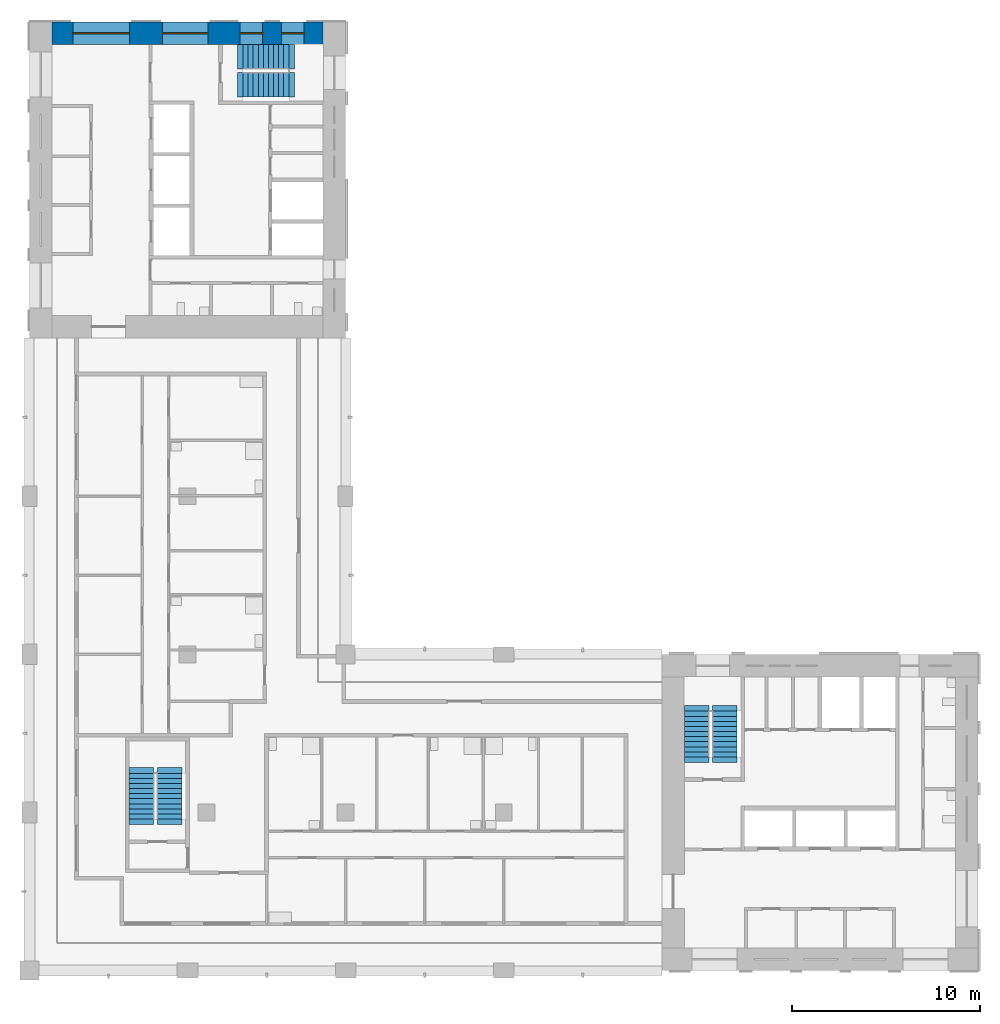
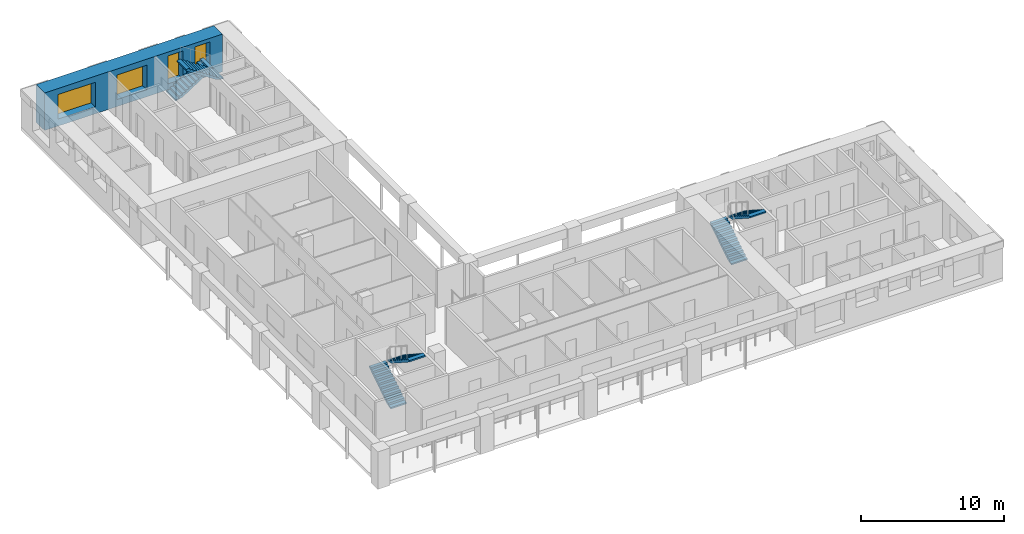
# One storey, part 7 of 10: 6 stair flights, 4 windows, 1 wall, 4 openings, 3 elements without a shape of their own.
"""IFC4 building model written with IfcOpenShell, lengths in metres."""

from ifc_helpers import new_model, si_unit, direction, frame, frame_2d, origin, place, context, subcontext, project, spatial, polyline, rectangle, outline, extrude, material, layer, layer_set, type_object, element, fill, aggregate, save


model = new_model("IFC4")

# Units and contexts
model_context = context("Model", 3, precision=1e-05, world=origin(), true_north=direction((0.0, 1.0)))
body_context = subcontext(model_context, "Body", "Model", "MODEL_VIEW")
ifc_project = project(units=[si_unit("LENGTHUNIT", "METRE"), si_unit("AREAUNIT", "SQUARE_METRE"), si_unit("VOLUMEUNIT", "CUBIC_METRE"), si_unit("PLANEANGLEUNIT", "RADIAN"), si_unit("MASSUNIT", "GRAM", prefix="KILO")], contexts=[model_context])

# Site, building, storey
site_placement = place(None, origin())
site = spatial("IfcSite", under=ifc_project, at=site_placement, CompositionType="ELEMENT")
building_placement = place(site_placement, origin())
building = spatial("IfcBuilding", under=site, at=building_placement, Name="Vermilion Gate Residences", CompositionType="ELEMENT")
storey_placement = place(building_placement, frame((0.0, 0.0, 266.699951171875)))
storey = spatial("IfcBuildingStorey", under=building, at=storey_placement, Name="L70", CompositionType="ELEMENT", Elevation=266.699951171875)

# Wall, openings, windows
ifc_material_1 = material(Name="Concrete C50 red-oxide pigmented", Category="concrete")
ifc_layer = layer(ifc_material_1, 1.199951171875)
ifc_layer_set = layer_set([ifc_layer], Name="RC CORE WALL 1200 C50 RED OXIDE")
wall_type = type_object("IfcWallType", Name="RC CORE WALL 1200 C50 RED OXIDE", PredefinedType="SHEAR", material=ifc_layer_set)
wall_placement = place(storey_placement, frame((9.60009765625, 58.199951171875, 0.0), z_axis=(0.0, 0.0, 1.0), x_axis=(1.0, 0.0, 0.0)))
wall = element("IfcWall", 1, at=wall_placement, inside=storey, type_object=wall_type, Name="Core wall B70-OUT-FR", PredefinedType="SHEAR", context=body_context, shape_type="SweptSolid", body=[
    extrude(rectangle(XDim=14.39990234375, YDim=1.199951171875, at=frame_2d((7.199951171875, 0.0))), origin(), (0.0, 0.0, 1.0), 3.219970703125),
])
opening_1_placement = place(wall_placement, frame((1.10498046875, 0.0, 0.60009765625)))
opening_1 = element("IfcOpeningElement", 2, at=opening_1_placement, cuts=wall, Name="Opening WKB7012", PredefinedType="OPENING", context=body_context, shape_type="SweptSolid", body=[
    extrude(rectangle(XDim=3.0, YDim=2.10009765625, at=frame_2d((1.5, 1.050048828125))), frame((0.0, 0.60986328125, 0.0), z_axis=(0.0, -1.0, 0.0), x_axis=(1.0, 0.0, 0.0)), (0.0, 0.0, 1.0), 1.219970703125),
])
opening_2_placement = place(wall_placement, frame((5.875, 0.0, 0.60009765625)))
opening_2 = element("IfcOpeningElement", 3, at=opening_2_placement, cuts=wall, Name="Opening WKB7013", PredefinedType="OPENING", context=body_context, shape_type="SweptSolid", body=[
    extrude(rectangle(XDim=2.39990234375, YDim=2.10009765625, at=frame_2d((1.199951171875, 1.050048828125))), frame((0.0, 0.60986328125, 0.0), z_axis=(0.0, -1.0, 0.0), x_axis=(1.0, 0.0, 0.0)), (0.0, 0.0, 1.0), 1.219970703125),
])
opening_3_placement = place(wall_placement, frame((9.993408203125, 0.0, 0.5)))
opening_3 = element("IfcOpeningElement", 4, at=opening_3_placement, cuts=wall, Name="Opening WKB7014", PredefinedType="OPENING", context=body_context, shape_type="SweptSolid", body=[
    extrude(rectangle(XDim=1.199951171875, YDim=2.39990234375, at=frame_2d((0.60009765625, 1.199951171875))), frame((0.0, 0.60986328125, 0.0), z_axis=(0.0, -1.0, 0.0), x_axis=(1.0, 0.0, 0.0)), (0.0, 0.0, 1.0), 1.219970703125),
])
opening_4_placement = place(wall_placement, frame((12.19677734375, 0.0, 0.5)))
opening_4 = element("IfcOpeningElement", 5, at=opening_4_placement, cuts=wall, Name="Opening WKB7015", PredefinedType="OPENING", context=body_context, shape_type="SweptSolid", body=[
    extrude(rectangle(XDim=1.199951171875, YDim=2.39990234375, at=frame_2d((0.60009765625, 1.199951171875))), frame((0.0, 0.60986328125, 0.0), z_axis=(0.0, -1.0, 0.0), x_axis=(1.0, 0.0, 0.0)), (0.0, 0.0, 1.0), 1.219970703125),
])
ifc_material_2 = material(Name="Aluminium and clear glass", Category="aluminium")
window_type_1 = type_object("IfcWindowType", Name="CORE LOBBY WINDOW 2400 X 2100", PartitioningType="SINGLE_PANEL", PredefinedType="WINDOW", material=ifc_material_2)
window_1_placement = place(opening_2_placement, origin())
window_1 = element("IfcWindow", 6, at=window_1_placement, inside=storey, type_object=window_type_1, Name="Core lobby window", OverallHeight=2.10009765625, OverallWidth=2.39990234375, PartitioningType="SINGLE_PANEL", PredefinedType="WINDOW", context=body_context, shape_type="SweptSolid", body=[
    extrude(rectangle(XDim=2.39990234375, YDim=2.10009765625, at=frame_2d((1.199951171875, 1.050048828125))), frame((0.0, 0.030029296875, 0.0), z_axis=(0.0, -1.0, 0.0), x_axis=(1.0, 0.0, 0.0)), (0.0, 0.0, 1.0), 0.06005859375),
])
fill(opening_2, window_1)
ifc_material_3 = material(Name="Aluminium and clear glass", Category="aluminium")
window_type_2 = type_object("IfcWindowType", Name="CORE LOBBY WINDOW 3000 X 2100", PartitioningType="SINGLE_PANEL", PredefinedType="WINDOW", material=ifc_material_3)
window_2_placement = place(opening_1_placement, origin())
window_2 = element("IfcWindow", 7, at=window_2_placement, inside=storey, type_object=window_type_2, Name="Core lobby window", OverallHeight=2.10009765625, OverallWidth=3.0, PartitioningType="SINGLE_PANEL", PredefinedType="WINDOW", context=body_context, shape_type="SweptSolid", body=[
    extrude(rectangle(XDim=3.0, YDim=2.10009765625, at=frame_2d((1.5, 1.050048828125))), frame((0.0, 0.030029296875, 0.0), z_axis=(0.0, -1.0, 0.0), x_axis=(1.0, 0.0, 0.0)), (0.0, 0.0, 1.0), 0.06005859375),
])
fill(opening_1, window_2)
ifc_material_4 = material(Name="Aluminium and clear glass", Category="aluminium")
window_type_3 = type_object("IfcWindowType", Name="CORE STAIR WINDOW 1200 X 2400", PartitioningType="SINGLE_PANEL", PredefinedType="WINDOW", material=ifc_material_4)
window_3_placement = place(opening_3_placement, origin())
window_3 = element("IfcWindow", 8, at=window_3_placement, inside=storey, type_object=window_type_3, Name="Core stair window", OverallHeight=2.39990234375, OverallWidth=1.199951171875, PartitioningType="SINGLE_PANEL", PredefinedType="WINDOW", context=body_context, shape_type="SweptSolid", body=[
    extrude(rectangle(XDim=1.199951171875, YDim=2.39990234375, at=frame_2d((0.60009765625, 1.199951171875))), frame((0.0, 0.030029296875, 0.0), z_axis=(0.0, -1.0, 0.0), x_axis=(1.0, 0.0, 0.0)), (0.0, 0.0, 1.0), 0.06005859375),
])
fill(opening_3, window_3)
window_4_placement = place(opening_4_placement, origin())
window_4 = element("IfcWindow", 9, at=window_4_placement, inside=storey, type_object=window_type_3, Name="Core stair window", OverallHeight=2.39990234375, OverallWidth=1.199951171875, PartitioningType="SINGLE_PANEL", PredefinedType="WINDOW", context=body_context, shape_type="SweptSolid", body=[
    extrude(rectangle(XDim=1.199951171875, YDim=2.39990234375, at=frame_2d((0.60009765625, 1.199951171875))), frame((0.0, 0.030029296875, 0.0), z_axis=(0.0, -1.0, 0.0), x_axis=(1.0, 0.0, 0.0)), (0.0, 0.0, 1.0), 0.06005859375),
])
fill(opening_4, window_4)

# Stair, stair flights
ifc_material_5 = material(Name="Concrete C50", Category="concrete")
stair_type = type_object("IfcStairType", Name="SPECIAL ESCAPE STAIR 1300", PredefinedType="HALF_TURN_STAIR", material=ifc_material_5)
stair_1_placement = place(storey_placement, origin())
stair_1 = element("IfcStair", 10, at=stair_1_placement, inside=storey, type_object=stair_type, Name="Special escape stair STA1-70", PredefinedType="HALF_TURN_STAIR")
ifc_material_6 = material(Name="Concrete C50", Category="concrete")
stair_flight_type = type_object("IfcStairFlightType", Name="STAIR FLIGHT 1300 RC C50", PredefinedType="STRAIGHT", material=ifc_material_6)
stair_flight_1_placement = place(storey_placement, frame((43.85009765625, 19.75, 0.0), z_axis=(0.0, 0.0, 1.0), x_axis=(0.0, 1.0, 0.0)))
stair_flight_1 = element("IfcStairFlight", 11, at=stair_flight_1_placement, type_object=stair_flight_type, Name="STA1-70 flight 1", NumberOfRisers=10, NumberOfTreads=9, PredefinedType="STRAIGHT", RiserHeight=0.175, TreadLength=0.27, context=body_context, shape_type="SweptSolid", body=[
    extrude(outline(polyline([(-0.300048828125, -0.14990234375), (-0.300048828125, -0.030029296875), (0.0, 0.0), (0.0, 0.175048828125), (0.27001953125, 0.175048828125), (0.27001953125, 0.35009765625), (0.5400390625, 0.35009765625), (0.5400390625, 0.52490234375), (0.81005859375, 0.52490234375), (0.81005859375, 0.699951171875), (1.080078125, 0.699951171875), (1.080078125, 0.875), (1.35009765625, 0.875), (1.35009765625, 1.050048828125), (1.6201171875, 1.050048828125), (1.6201171875, 1.22509765625), (1.889892578125, 1.22509765625), (1.889892578125, 1.39990234375), (2.159912109375, 1.39990234375), (2.159912109375, 1.574951171875), (2.429931640625, 1.574951171875), (2.429931640625, 1.75), (2.72998046875, 1.719970703125), (2.72998046875, 1.60009765625), (2.429931640625, 1.396484375), (0.275634765625, 0.0), (-0.300048828125, -0.14990234375)])), frame((0.0, 0.64990234375, 0.0), z_axis=(0.0, -1.0, 0.0), x_axis=(1.0, 0.0, 0.0)), (0.0, 0.0, 1.0), 1.300048828125),
])
stair_flight_2_placement = place(storey_placement, frame((45.35009765625, 22.179931640625, 1.75), z_axis=(0.0, 0.0, 1.0), x_axis=(0.0, -1.0, 0.0)))
stair_flight_2 = element("IfcStairFlight", 12, at=stair_flight_2_placement, type_object=stair_flight_type, Name="STA1-70 flight 2", NumberOfRisers=10, NumberOfTreads=9, PredefinedType="STRAIGHT", RiserHeight=0.175, TreadLength=0.27, context=body_context, shape_type="SweptSolid", body=[
    extrude(outline(polyline([(-0.300048828125, -0.14990234375), (-0.300048828125, -0.030029296875), (0.0, 0.0), (0.0, 0.175048828125), (0.27001953125, 0.175048828125), (0.27001953125, 0.35009765625), (0.5400390625, 0.35009765625), (0.5400390625, 0.52490234375), (0.81005859375, 0.52490234375), (0.81005859375, 0.699951171875), (1.080078125, 0.699951171875), (1.080078125, 0.875), (1.35009765625, 0.875), (1.35009765625, 1.050048828125), (1.6201171875, 1.050048828125), (1.6201171875, 1.22509765625), (1.889892578125, 1.22509765625), (1.889892578125, 1.39990234375), (2.159912109375, 1.39990234375), (2.159912109375, 1.574951171875), (2.429931640625, 1.574951171875), (2.429931640625, 1.75), (2.72998046875, 1.719970703125), (2.72998046875, 1.60009765625), (2.429931640625, 1.396484375), (0.275634765625, 0.0), (-0.300048828125, -0.14990234375)])), frame((0.0, 0.64990234375, 0.0), z_axis=(0.0, -1.0, 0.0), x_axis=(1.0, 0.0, 0.0)), (0.0, 0.0, 1.0), 1.300048828125),
])
aggregate(stair_1, [stair_flight_1, stair_flight_2])

stair_2_placement = place(storey_placement, origin())
stair_2 = element("IfcStair", 13, at=stair_2_placement, inside=storey, type_object=stair_type, Name="Special escape stair STB1-70", PredefinedType="HALF_TURN_STAIR")
stair_flight_3_placement = place(storey_placement, frame((19.75, 56.949951171875, 0.0), z_axis=(0.0, 0.0, 1.0), x_axis=(1.0, 0.0, 0.0)))
stair_flight_3 = element("IfcStairFlight", 14, at=stair_flight_3_placement, type_object=stair_flight_type, Name="STB1-70 flight 1", NumberOfRisers=10, NumberOfTreads=9, PredefinedType="STRAIGHT", RiserHeight=0.175, TreadLength=0.27, context=body_context, shape_type="SweptSolid", body=[
    extrude(outline(polyline([(-0.300048828125, -0.14990234375), (-0.300048828125, -0.030029296875), (0.0, 0.0), (0.0, 0.175048828125), (0.27001953125, 0.175048828125), (0.27001953125, 0.35009765625), (0.5400390625, 0.35009765625), (0.5400390625, 0.52490234375), (0.81005859375, 0.52490234375), (0.81005859375, 0.699951171875), (1.080078125, 0.699951171875), (1.080078125, 0.875), (1.35009765625, 0.875), (1.35009765625, 1.050048828125), (1.6201171875, 1.050048828125), (1.6201171875, 1.22509765625), (1.889892578125, 1.22509765625), (1.889892578125, 1.39990234375), (2.159912109375, 1.39990234375), (2.159912109375, 1.574951171875), (2.429931640625, 1.574951171875), (2.429931640625, 1.75), (2.72998046875, 1.719970703125), (2.72998046875, 1.60009765625), (2.429931640625, 1.396484375), (0.275634765625, 0.0), (-0.300048828125, -0.14990234375)])), frame((0.0, 0.64990234375, 0.0), z_axis=(0.0, -1.0, 0.0), x_axis=(1.0, 0.0, 0.0)), (0.0, 0.0, 1.0), 1.300048828125),
])
stair_flight_4_placement = place(storey_placement, frame((22.179931640625, 55.449951171875, 1.75), z_axis=(0.0, 0.0, 1.0), x_axis=(-1.0, 0.0, 0.0)))
stair_flight_4 = element("IfcStairFlight", 15, at=stair_flight_4_placement, type_object=stair_flight_type, Name="STB1-70 flight 2", NumberOfRisers=10, NumberOfTreads=9, PredefinedType="STRAIGHT", RiserHeight=0.175, TreadLength=0.27, context=body_context, shape_type="SweptSolid", body=[
    extrude(outline(polyline([(-0.300048828125, -0.14990234375), (-0.300048828125, -0.030029296875), (0.0, 0.0), (0.0, 0.175048828125), (0.27001953125, 0.175048828125), (0.27001953125, 0.35009765625), (0.5400390625, 0.35009765625), (0.5400390625, 0.52490234375), (0.81005859375, 0.52490234375), (0.81005859375, 0.699951171875), (1.080078125, 0.699951171875), (1.080078125, 0.875), (1.35009765625, 0.875), (1.35009765625, 1.050048828125), (1.6201171875, 1.050048828125), (1.6201171875, 1.22509765625), (1.889892578125, 1.22509765625), (1.889892578125, 1.39990234375), (2.159912109375, 1.39990234375), (2.159912109375, 1.574951171875), (2.429931640625, 1.574951171875), (2.429931640625, 1.75), (2.72998046875, 1.719970703125), (2.72998046875, 1.60009765625), (2.429931640625, 1.396484375), (0.275634765625, 0.0), (-0.300048828125, -0.14990234375)])), frame((0.0, 0.64990234375, 0.0), z_axis=(0.0, -1.0, 0.0), x_axis=(1.0, 0.0, 0.0)), (0.0, 0.0, 1.0), 1.300048828125),
])
aggregate(stair_2, [stair_flight_3, stair_flight_4])

stair_3_placement = place(storey_placement, origin())
stair_3 = element("IfcStair", 16, at=stair_3_placement, inside=storey, type_object=stair_type, Name="Special escape stair STC1-70", PredefinedType="HALF_TURN_STAIR")
stair_flight_5_placement = place(storey_placement, frame((14.35009765625, 16.449951171875, 0.0), z_axis=(0.0, 0.0, 1.0), x_axis=(0.0, 1.0, 0.0)))
stair_flight_5 = element("IfcStairFlight", 17, at=stair_flight_5_placement, type_object=stair_flight_type, Name="STC1-70 flight 1", NumberOfRisers=10, NumberOfTreads=9, PredefinedType="STRAIGHT", RiserHeight=0.175, TreadLength=0.27, context=body_context, shape_type="SweptSolid", body=[
    extrude(outline(polyline([(-0.300048828125, -0.14990234375), (-0.300048828125, -0.030029296875), (0.0, 0.0), (0.0, 0.175048828125), (0.27001953125, 0.175048828125), (0.27001953125, 0.35009765625), (0.5400390625, 0.35009765625), (0.5400390625, 0.52490234375), (0.81005859375, 0.52490234375), (0.81005859375, 0.699951171875), (1.080078125, 0.699951171875), (1.080078125, 0.875), (1.35009765625, 0.875), (1.35009765625, 1.050048828125), (1.6201171875, 1.050048828125), (1.6201171875, 1.22509765625), (1.889892578125, 1.22509765625), (1.889892578125, 1.39990234375), (2.159912109375, 1.39990234375), (2.159912109375, 1.574951171875), (2.429931640625, 1.574951171875), (2.429931640625, 1.75), (2.72998046875, 1.719970703125), (2.72998046875, 1.60009765625), (2.429931640625, 1.396484375), (0.275634765625, 0.0), (-0.300048828125, -0.14990234375)])), frame((0.0, 0.64990234375, 0.0), z_axis=(0.0, -1.0, 0.0), x_axis=(1.0, 0.0, 0.0)), (0.0, 0.0, 1.0), 1.300048828125),
])
stair_flight_6_placement = place(storey_placement, frame((15.85009765625, 18.8798828125, 1.75), z_axis=(0.0, 0.0, 1.0), x_axis=(0.0, -1.0, 0.0)))
stair_flight_6 = element("IfcStairFlight", 18, at=stair_flight_6_placement, type_object=stair_flight_type, Name="STC1-70 flight 2", NumberOfRisers=10, NumberOfTreads=9, PredefinedType="STRAIGHT", RiserHeight=0.175, TreadLength=0.27, context=body_context, shape_type="SweptSolid", body=[
    extrude(outline(polyline([(-0.300048828125, -0.14990234375), (-0.300048828125, -0.030029296875), (0.0, 0.0), (0.0, 0.175048828125), (0.27001953125, 0.175048828125), (0.27001953125, 0.35009765625), (0.5400390625, 0.35009765625), (0.5400390625, 0.52490234375), (0.81005859375, 0.52490234375), (0.81005859375, 0.699951171875), (1.080078125, 0.699951171875), (1.080078125, 0.875), (1.35009765625, 0.875), (1.35009765625, 1.050048828125), (1.6201171875, 1.050048828125), (1.6201171875, 1.22509765625), (1.889892578125, 1.22509765625), (1.889892578125, 1.39990234375), (2.159912109375, 1.39990234375), (2.159912109375, 1.574951171875), (2.429931640625, 1.574951171875), (2.429931640625, 1.75), (2.72998046875, 1.719970703125), (2.72998046875, 1.60009765625), (2.429931640625, 1.396484375), (0.275634765625, 0.0), (-0.300048828125, -0.14990234375)])), frame((0.0, 0.64990234375, 0.0), z_axis=(0.0, -1.0, 0.0), x_axis=(1.0, 0.0, 0.0)), (0.0, 0.0, 1.0), 1.300048828125),
])
aggregate(stair_3, [stair_flight_5, stair_flight_6])

save(model, "model.ifc")
